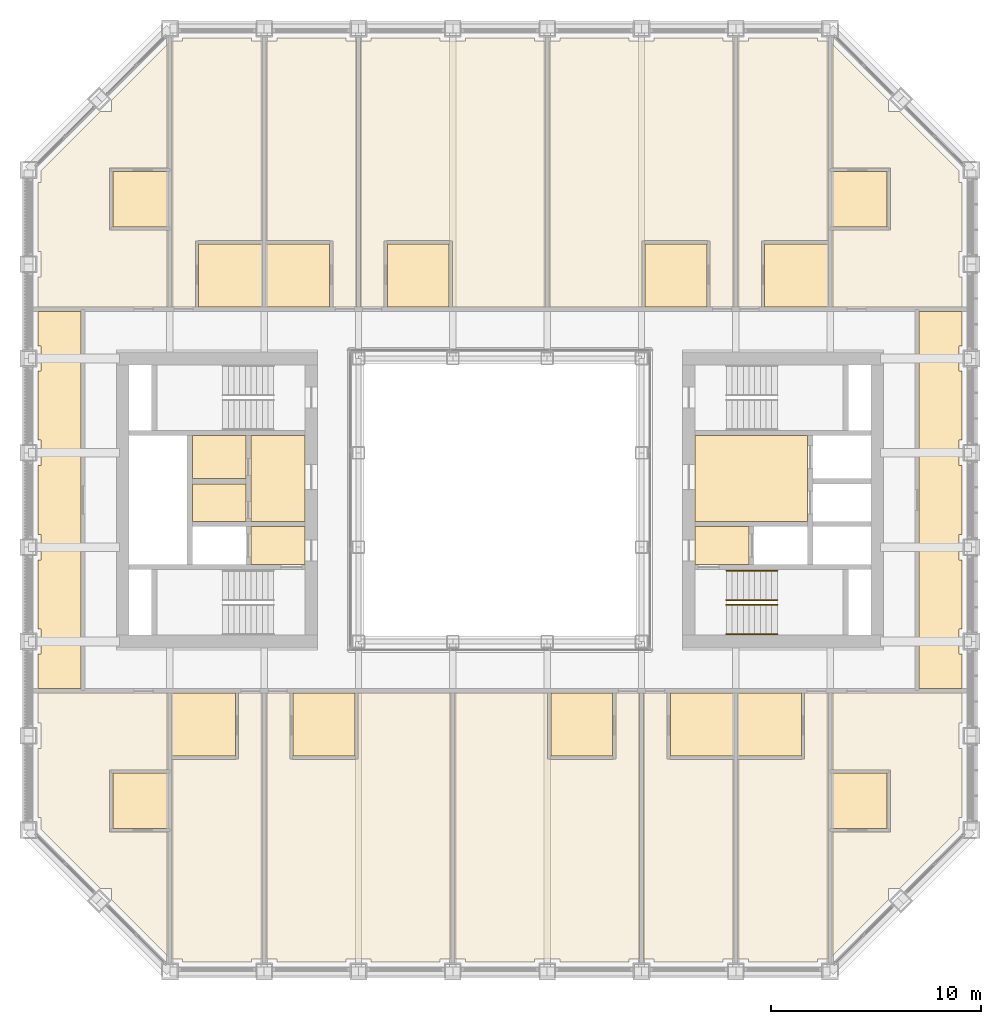
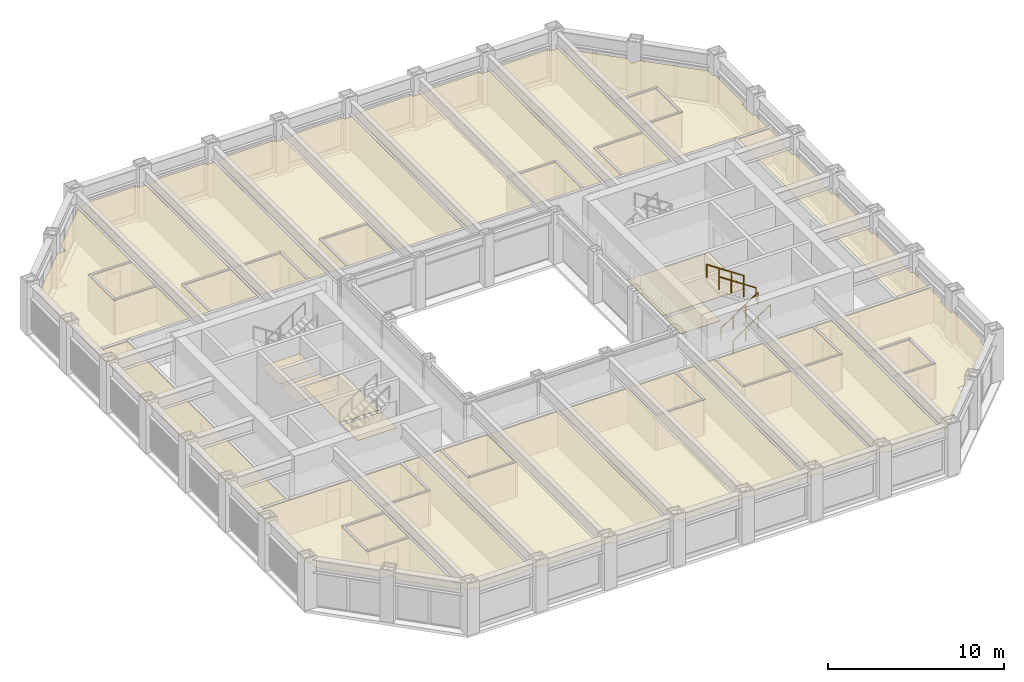
# One storey, part 16 of 17: 4 coverings, 4 railings.
"""IFC4 building model written with IfcOpenShell, lengths in metres."""

import ifcopenshell
import ifcopenshell.guid

model = None  # the IFC model being written
_history = None  # IfcOwnerHistory: only IFC2X3 demands one
_inside = {}  # id of a spatial element -> (the spatial element, [elements in it])
_under = {}  # id of a project, library or spatial element -> (it, [spatial elements below it])
_declared = {}  # id of a project -> (the project, [libraries it declares])
_typed = {}  # id of a type object -> (the type object, [elements of that type])
_made_of = {}  # id of a material, layer set ... -> (it, [elements and type objects made of it])


def new_model(schema):
    """Start an empty IFC model of exactly this schema.

    Asked for "IFC4X3", IfcOpenShell would pick the latest addendum, in which some entities
    have other attributes; the version numbers below select the first issue.
    IFC2X3 requires an IfcOwnerHistory on every rooted entity: one is made here for all.
    """
    global model, _history
    if schema == "IFC4X3":
        model = ifcopenshell.file(schema_version=(4, 3, 0, 0))
    else:
        model = ifcopenshell.file(schema=schema)
    _inside.clear()
    _under.clear()
    _declared.clear()
    _typed.clear()
    _made_of.clear()
    _history = None
    if model.schema == "IFC2X3":
        org = make("IfcOrganization", Name="unknown")
        user = make(
            "IfcPersonAndOrganization",
            ThePerson=make("IfcPerson", FamilyName="unknown"),
            TheOrganization=org,
        )
        app = make(
            "IfcApplication",
            ApplicationDeveloper=org,
            Version="unknown",
            ApplicationFullName="unknown",
            ApplicationIdentifier="unknown",
        )
        _history = make(
            "IfcOwnerHistory",
            OwningUser=user,
            OwningApplication=app,
            ChangeAction="ADDED",
            CreationDate=0,
        )
    return model


def make(cls, **values):
    """One entity of the class cls with the attributes given. An attribute that is None is left unset."""
    return model.create_entity(
        cls, **{name: value for name, value in values.items() if value is not None}
    )


def rooted(cls, **values):
    """An entity with a GlobalId (a new one), such as an element, a storey or a relation."""
    return make(cls, GlobalId=ifcopenshell.guid.new(), OwnerHistory=_history, **values)


def si_unit(unit_type, name, prefix=None):
    """IfcSIUnit, for example si_unit("LENGTHUNIT", "METRE", prefix="MILLI")."""
    return make("IfcSIUnit", UnitType=unit_type, Prefix=prefix, Name=name)


def assignment(units):
    """IfcUnitAssignment: the units of a project."""
    return None if units is None else make("IfcUnitAssignment", Units=units)


def point(xyz):
    """IfcCartesianPoint."""
    return None if xyz is None else make("IfcCartesianPoint", Coordinates=xyz)


def direction(xyz):
    """IfcDirection."""
    return None if xyz is None else make("IfcDirection", DirectionRatios=xyz)


def frame(location, z_axis=None, x_axis=None):
    """IfcAxis2Placement3D, a coordinate frame: its origin and axes. An axis left out is left unset."""
    return make(
        "IfcAxis2Placement3D",
        Location=point(location),
        Axis=direction(z_axis),
        RefDirection=direction(x_axis),
    )


def frame_2d(location, x_axis=None):
    """IfcAxis2Placement2D, a coordinate frame in the plane: its origin and x axis."""
    return make(
        "IfcAxis2Placement2D", Location=point(location), RefDirection=direction(x_axis)
    )


def origin():
    """The frame at (0, 0, 0) with its axes left unset."""
    return frame((0.0, 0.0, 0.0))


def origin_2d():
    """The frame at (0, 0) in the plane with its x axis left unset."""
    return frame_2d((0.0, 0.0))


def place(relative_to, where):
    """IfcLocalPlacement: puts the frame where relative to a parent placement (None: the world)."""
    return make(
        "IfcLocalPlacement", PlacementRelTo=relative_to, RelativePlacement=where
    )


def context(
    kind, dimensions, precision=None, world=None, true_north=None, identifier=None
):
    """IfcGeometricRepresentationContext, for example the 3D "Model" context."""
    return make(
        "IfcGeometricRepresentationContext",
        ContextIdentifier=identifier,
        ContextType=kind,
        CoordinateSpaceDimension=dimensions,
        Precision=precision,
        WorldCoordinateSystem=world,
        TrueNorth=true_north,
    )


def subcontext(parent, identifier, kind, view, scale=None):
    """IfcGeometricRepresentationSubContext, for example "Body" below "Model"."""
    return make(
        "IfcGeometricRepresentationSubContext",
        ContextIdentifier=identifier,
        ContextType=kind,
        ParentContext=parent,
        TargetScale=scale,
        TargetView=view,
    )


def project(units=None, contexts=None):
    """IfcProject with its units and contexts."""
    return rooted(
        "IfcProject",
        Name="project",
        RepresentationContexts=contexts,
        UnitsInContext=assignment(units),
    )


def spatial(cls, under=None, at=None, **own):
    """A site, building, storey or space (cls), placed at a placement, below another one or the project."""
    s = rooted(cls, ObjectPlacement=at, **own)
    if under is not None:
        _under.setdefault(under.id(), (under, []))[1].append(s)
    return s


def point_list(points):
    """IfcCartesianPointList2D or 3D."""
    cls = (
        "IfcCartesianPointList2D" if len(points[0]) == 2 else "IfcCartesianPointList3D"
    )
    return make(cls, CoordList=points)


def line(*indices):
    """IfcLineIndex: a straight run through numbered points of an indexed curve."""
    return model.create_entity("IfcLineIndex", indices)


def indexed_curve(points, segments=None, self_intersect=None):
    """IfcIndexedPolyCurve: lines and arcs through numbered points (the first is 1)."""
    return make(
        "IfcIndexedPolyCurve",
        Points=point_list(points),
        Segments=segments,
        SelfIntersect=self_intersect,
    )


def profile(cls, at=None, kind="AREA", **sizes):
    """A parametric profile (cls). Its sizes go by their IFC names, for example OverallWidth=200.0."""
    return make(cls, ProfileType=kind, Position=at, **sizes)


def circle(**sizes):
    """IfcCircleProfileDef."""
    return profile("IfcCircleProfileDef", **sizes)


def outline(outer, holes=None, kind="AREA"):
    """IfcArbitraryClosedProfileDef: a profile drawn as a closed curve; with holes, ...WithVoids."""
    if holes is None:
        return make("IfcArbitraryClosedProfileDef", ProfileType=kind, OuterCurve=outer)
    return make(
        "IfcArbitraryProfileDefWithVoids",
        ProfileType=kind,
        OuterCurve=outer,
        InnerCurves=holes,
    )


def extrude(swept, where, along, depth):
    """IfcExtrudedAreaSolid: the profile swept, set in the frame where, extruded along a direction by depth."""
    return make(
        "IfcExtrudedAreaSolid",
        SweptArea=swept,
        Position=where,
        ExtrudedDirection=direction(along),
        Depth=depth,
    )


def shape(context_of_items, identifier, shape_type, items):
    """IfcShapeRepresentation: the items that make up one representation, for example the "Body"."""
    return make(
        "IfcShapeRepresentation",
        ContextOfItems=context_of_items,
        RepresentationIdentifier=identifier,
        RepresentationType=shape_type,
        Items=items,
    )


def material(Name=None, Category=None):
    """IfcMaterial."""
    return make("IfcMaterial", Name=Name, Category=Category)


def layer(
    of_material, thickness, ventilated=None, Name=None, Category=None, Priority=None
):
    """IfcMaterialLayer: one layer of a wall or slab, of a material (None: an air gap)."""
    return make(
        "IfcMaterialLayer",
        Material=of_material,
        LayerThickness=thickness,
        IsVentilated=ventilated,
        Name=Name,
        Category=Category,
        Priority=Priority,
    )


def layer_set(layers, Name=None):
    """IfcMaterialLayerSet."""
    return make("IfcMaterialLayerSet", MaterialLayers=layers, LayerSetName=Name)


def made_of(thing, what):
    """Note that an element or type object is made of a material, layer set ...; save() writes the relation."""
    if what is not None:
        _made_of.setdefault(what.id(), (what, []))[1].append(thing)
    return thing


def type_object(cls, material=None, **own):
    """A type object (cls), such as IfcWallType, which elements share."""
    return made_of(rooted(cls, **own), material)


def element(
    cls,
    number,
    at=None,
    inside=None,
    cuts=None,
    type_object=None,
    material=None,
    context=None,
    identifier="Body",
    shape_type=None,
    held_by="IfcProductDefinitionShape",
    body=None,
    shapes=None,
    **own,
):
    """One element of the class cls, such as IfcWall. Its Tag is "e" and its number.

    at: its placement. inside: the storey or other place that contains it. cuts: it is an
    opening in that element (IfcRelVoidsElement). A single representation is given by context,
    identifier, shape_type and body (its items); several are given by shapes. held_by: the class
    of the entity that holds the representations. save() writes the other relations.
    """
    e = rooted(cls, Tag="e%d" % number, ObjectPlacement=at, **own)
    if body is not None:
        shapes = [shape(context, identifier, shape_type, body)]
    if shapes is not None:
        e.Representation = make(held_by, Representations=shapes)
    if inside is not None:
        _inside.setdefault(inside.id(), (inside, []))[1].append(e)
    if cuts is not None:
        rooted(
            "IfcRelVoidsElement", RelatingBuildingElement=cuts, RelatedOpeningElement=e
        )
    if type_object is not None:
        _typed.setdefault(type_object.id(), (type_object, []))[1].append(e)
    return made_of(e, material)


def aggregate(whole, parts):
    """IfcRelAggregates: a whole, such as a stair, and the parts it consists of."""
    return rooted("IfcRelAggregates", RelatingObject=whole, RelatedObjects=parts)


def save(model, path):
    """Write the relations noted so far, then the file.

    IfcRelAggregates (storeys below a building ...), IfcRelContainedInSpatialStructure (elements
    in a storey), IfcRelDefinesByType, IfcRelAssociatesMaterial and IfcRelDeclares: one each for
    every whole, place, type object, material and project.
    """
    for whole, parts in _under.values():
        aggregate(whole, parts)
    for where, things in _inside.values():
        rooted(
            "IfcRelContainedInSpatialStructure",
            RelatedElements=things,
            RelatingStructure=where,
        )
    for kind, things in _typed.values():
        rooted("IfcRelDefinesByType", RelatedObjects=things, RelatingType=kind)
    for what, things in _made_of.values():
        rooted("IfcRelAssociatesMaterial", RelatedObjects=things, RelatingMaterial=what)
    for by, libraries in _declared.values():
        rooted("IfcRelDeclares", RelatingContext=by, RelatedDefinitions=libraries)
    model.write(path)


model = new_model("IFC4")

# Units and contexts
model_context = context("Model", 3, precision=1e-05, world=origin(), true_north=direction((0.0, 1.0)))
body_context = subcontext(model_context, "Body", "Model", "MODEL_VIEW")
ifc_project = project(units=[si_unit("LENGTHUNIT", "METRE"), si_unit("AREAUNIT", "SQUARE_METRE"), si_unit("VOLUMEUNIT", "CUBIC_METRE"), si_unit("PLANEANGLEUNIT", "RADIAN"), si_unit("MASSUNIT", "GRAM", prefix="KILO")], contexts=[model_context])

# Site, building, storey
site_placement = place(None, origin())
site = spatial("IfcSite", under=ifc_project, at=site_placement, CompositionType="ELEMENT")
building_placement = place(site_placement, origin())
building = spatial("IfcBuilding", under=site, at=building_placement, Name="Msasa Ring Tower", CompositionType="ELEMENT")
storey_placement = place(building_placement, frame((0.0, 0.0, 129.199951171875)))
storey = spatial("IfcBuildingStorey", under=building, at=storey_placement, Name="L33", CompositionType="ELEMENT", Elevation=129.199951171875)

# Coverings
ifc_material_1 = material(Name="Gypsum plasterboard on a steel suspension grid", Category="steel")
ifc_layer_1 = layer(ifc_material_1, 0.014892578125)
ifc_layer_set_1 = layer_set([ifc_layer_1], Name="C1 SUSPENDED PLASTERBOARD CEILING 15")
covering_type_1 = type_object("IfcCoveringType", Name="C1 SUSPENDED PLASTERBOARD CEILING 15", PredefinedType="CEILING", material=ifc_layer_set_1)
covering_1_placement = place(storey_placement, frame((0.0, 0.0, 2.407958984375)))
element("IfcCovering", 1, at=covering_1_placement, inside=storey, type_object=covering_type_1, Name="Suspended Plasterboard Ceiling 15 L33", PredefinedType="CEILING", context=body_context, shape_type="SweptSolid", body=[
    extrude(outline(indexed_curve([(-15.8505859375, -21.762451171875), (-18.5244140625, -19.08837890625), (-18.5244140625, -18.5244140625), (-19.08837890625, -18.5244140625), (-21.8994140625, -15.71337890625), (-21.8994140625, -15.1494140625), (-22.049560546875, -15.1494140625), (-22.049560546875, -11.8505859375), (-21.8994140625, -11.8505859375), (-21.8994140625, -10.6494140625), (-22.049560546875, -10.6494140625), (-22.049560546875, -9.200439453125), (-15.8505859375, -9.200439453125), (-15.8505859375, -12.869384765625), (-18.630615234375, -12.869384765625), (-18.630615234375, -15.83056640625), (-15.8505859375, -15.83056640625)], segments=[line(1, 2, 3, 4, 5, 6, 7, 8, 9, 10, 11, 12, 13, 14, 15, 16, 17, 1)], self_intersect=False)), origin(), (0.0, 0.0, 1.0), 0.01513671875),
    extrude(outline(indexed_curve([(-18.630615234375, 12.869384765625), (-15.8505859375, 12.869384765625), (-15.8505859375, 9.200439453125), (-22.049560546875, 9.200439453125), (-22.049560546875, 10.6494140625), (-21.8994140625, 10.6494140625), (-21.8994140625, 11.8505859375), (-22.049560546875, 11.8505859375), (-22.049560546875, 15.1494140625), (-21.8994140625, 15.1494140625), (-21.8994140625, 15.71337890625), (-19.08837890625, 18.5244140625), (-18.5244140625, 18.5244140625), (-18.5244140625, 19.08837890625), (-15.8505859375, 21.762451171875), (-15.8505859375, 15.83056640625), (-18.630615234375, 15.83056640625)], segments=[line(1, 2, 3, 4, 5, 6, 7, 8, 9, 10, 11, 12, 13, 14, 15, 16, 17, 1)], self_intersect=False)), origin(), (0.0, 0.0, 1.0), 0.01513671875),
    extrude(outline(indexed_curve([(-12.60009765625, -12.3505859375), (-12.474609375, -12.35009765625), (-12.474609375, -9.200439453125), (-11.3505859375, -9.200439453125), (-11.3505859375, -21.8994140625), (-11.8505859375, -21.8994140625), (-11.8505859375, -22.049560546875), (-15.1494140625, -22.049560546875), (-15.1494140625, -21.8994140625), (-15.6494140625, -21.8994140625), (-15.6494140625, -12.37548828125), (-12.60009765625, -12.37548828125)], segments=[line(1, 2, 3, 4, 5, 6, 7, 8, 9, 10, 11, 12, 1)], self_intersect=False)), origin(), (0.0, 0.0, 1.0), 0.01513671875),
    extrude(outline(indexed_curve([(-14.39990234375, 12.3505859375), (-14.525390625, 12.35009765625), (-14.525390625, 9.200439453125), (-15.6494140625, 9.200439453125), (-15.6494140625, 21.8994140625), (-15.1494140625, 21.8994140625), (-15.1494140625, 22.049560546875), (-11.8505859375, 22.049560546875), (-11.8505859375, 21.8994140625), (-11.3505859375, 21.8994140625), (-11.3505859375, 12.37548828125), (-14.39990234375, 12.37548828125)], segments=[line(1, 2, 3, 4, 5, 6, 7, 8, 9, 10, 11, 12, 1)], self_intersect=False)), origin(), (0.0, 0.0, 1.0), 0.01513671875),
    extrude(outline(indexed_curve([(-9.89990234375, -12.3505859375), (-9.89990234375, -12.37548828125), (-6.89990234375, -12.37548828125), (-6.89990234375, -12.3505859375), (-6.7744140625, -12.35009765625), (-6.7744140625, -9.200439453125), (-2.3505859375, -9.200439453125), (-2.3505859375, -21.8994140625), (-2.8505859375, -21.8994140625), (-2.8505859375, -22.049560546875), (-6.1494140625, -22.049560546875), (-6.1494140625, -21.8994140625), (-7.3505859375, -21.8994140625), (-7.3505859375, -22.049560546875), (-10.6494140625, -22.049560546875), (-10.6494140625, -21.8994140625), (-11.1494140625, -21.8994140625), (-11.1494140625, -9.200439453125), (-10.025390625, -9.200439453125), (-10.025390625, -12.35009765625)], segments=[line(1, 2, 3, 4, 5, 6, 7, 8, 9, 10, 11, 12, 13, 14, 15, 16, 17, 18, 19, 20, 1)], self_intersect=False)), origin(), (0.0, 0.0, 1.0), 0.01513671875),
    extrude(outline(indexed_curve([(-7.3505859375, 22.049560546875), (-7.3505859375, 21.8994140625), (-6.8505859375, 21.8994140625), (-6.8505859375, 9.200439453125), (-7.974609375, 9.200439453125), (-7.974609375, 12.35009765625), (-8.10009765625, 12.3505859375), (-8.10009765625, 12.37548828125), (-11.1494140625, 12.37548828125), (-11.1494140625, 21.8994140625), (-10.6494140625, 21.8994140625), (-10.6494140625, 22.049560546875)], segments=[line(1, 2, 3, 4, 5, 6, 7, 8, 9, 10, 11, 12, 1)], self_intersect=False)), origin(), (0.0, 0.0, 1.0), 0.01513671875),
    extrude(outline(indexed_curve([(-2.39990234375, 12.3505859375), (-2.39990234375, 12.37548828125), (-5.39990234375, 12.37548828125), (-5.39990234375, 12.3505859375), (-5.525390625, 12.35009765625), (-5.525390625, 9.200439453125), (-6.6494140625, 9.200439453125), (-6.6494140625, 21.8994140625), (-6.1494140625, 21.8994140625), (-6.1494140625, 22.049560546875), (-2.8505859375, 22.049560546875), (-2.8505859375, 21.8994140625), (-1.6494140625, 21.8994140625), (-1.6494140625, 22.049560546875), (1.6494140625, 22.049560546875), (1.6494140625, 21.8994140625), (2.1494140625, 21.8994140625), (2.1494140625, 9.200439453125), (-2.2744140625, 9.200439453125), (-2.2744140625, 12.35009765625)], segments=[line(1, 2, 3, 4, 5, 6, 7, 8, 9, 10, 11, 12, 13, 14, 15, 16, 17, 18, 19, 20, 1)], self_intersect=False)), origin(), (0.0, 0.0, 1.0), 0.01513671875),
    extrude(outline(indexed_curve([(2.2744140625, -12.35009765625), (2.39990234375, -12.3505859375), (2.39990234375, -12.37548828125), (5.39990234375, -12.37548828125), (5.39990234375, -12.3505859375), (5.525390625, -12.35009765625), (5.525390625, -9.200439453125), (6.6494140625, -9.200439453125), (6.6494140625, -21.8994140625), (6.1494140625, -21.8994140625), (6.1494140625, -22.049560546875), (2.8505859375, -22.049560546875), (2.8505859375, -21.8994140625), (1.6494140625, -21.8994140625), (1.6494140625, -22.049560546875), (-1.6494140625, -22.049560546875), (-1.6494140625, -21.8994140625), (-2.1494140625, -21.8994140625), (-2.1494140625, -9.200439453125), (2.2744140625, -9.200439453125)], segments=[line(1, 2, 3, 4, 5, 6, 7, 8, 9, 10, 11, 12, 13, 14, 15, 16, 17, 18, 19, 20, 1)], self_intersect=False)), origin(), (0.0, 0.0, 1.0), 0.01513671875),
    extrude(outline(indexed_curve([(9.89990234375, 12.3505859375), (9.89990234375, 12.37548828125), (6.89990234375, 12.37548828125), (6.89990234375, 12.3505859375), (6.7744140625, 12.35009765625), (6.7744140625, 9.200439453125), (2.3505859375, 9.200439453125), (2.3505859375, 21.8994140625), (2.8505859375, 21.8994140625), (2.8505859375, 22.049560546875), (6.1494140625, 22.049560546875), (6.1494140625, 21.8994140625), (7.3505859375, 21.8994140625), (7.3505859375, 22.049560546875), (10.6494140625, 22.049560546875), (10.6494140625, 21.8994140625), (11.1494140625, 21.8994140625), (11.1494140625, 9.200439453125), (10.025390625, 9.200439453125), (10.025390625, 12.35009765625)], segments=[line(1, 2, 3, 4, 5, 6, 7, 8, 9, 10, 11, 12, 13, 14, 15, 16, 17, 18, 19, 20, 1)], self_intersect=False)), origin(), (0.0, 0.0, 1.0), 0.01513671875),
    extrude(outline(indexed_curve([(7.3505859375, -22.049560546875), (7.3505859375, -21.8994140625), (6.8505859375, -21.8994140625), (6.8505859375, -9.200439453125), (7.974609375, -9.200439453125), (7.974609375, -12.35009765625), (8.10009765625, -12.3505859375), (8.10009765625, -12.37548828125), (11.1494140625, -12.37548828125), (11.1494140625, -21.8994140625), (10.6494140625, -21.8994140625), (10.6494140625, -22.049560546875)], segments=[line(1, 2, 3, 4, 5, 6, 7, 8, 9, 10, 11, 12, 1)], self_intersect=False)), origin(), (0.0, 0.0, 1.0), 0.01513671875),
    extrude(outline(indexed_curve([(14.39990234375, -12.3505859375), (14.525390625, -12.35009765625), (14.525390625, -9.200439453125), (15.6494140625, -9.200439453125), (15.6494140625, -21.8994140625), (15.1494140625, -21.8994140625), (15.1494140625, -22.049560546875), (11.8505859375, -22.049560546875), (11.8505859375, -21.8994140625), (11.3505859375, -21.8994140625), (11.3505859375, -12.37548828125), (14.39990234375, -12.37548828125)], segments=[line(1, 2, 3, 4, 5, 6, 7, 8, 9, 10, 11, 12, 1)], self_intersect=False)), origin(), (0.0, 0.0, 1.0), 0.01513671875),
    extrude(outline(indexed_curve([(12.60009765625, 12.3505859375), (12.474609375, 12.35009765625), (12.474609375, 9.200439453125), (11.3505859375, 9.200439453125), (11.3505859375, 21.8994140625), (11.8505859375, 21.8994140625), (11.8505859375, 22.049560546875), (15.1494140625, 22.049560546875), (15.1494140625, 21.8994140625), (15.6494140625, 21.8994140625), (15.6494140625, 12.37548828125), (12.60009765625, 12.37548828125)], segments=[line(1, 2, 3, 4, 5, 6, 7, 8, 9, 10, 11, 12, 1)], self_intersect=False)), origin(), (0.0, 0.0, 1.0), 0.01513671875),
    extrude(outline(indexed_curve([(18.630615234375, -12.869384765625), (15.8505859375, -12.869384765625), (15.8505859375, -9.200439453125), (22.049560546875, -9.200439453125), (22.049560546875, -10.6494140625), (21.8994140625, -10.6494140625), (21.8994140625, -11.8505859375), (22.049560546875, -11.8505859375), (22.049560546875, -15.1494140625), (21.8994140625, -15.1494140625), (21.8994140625, -15.71337890625), (19.08837890625, -18.5244140625), (18.5244140625, -18.5244140625), (18.5244140625, -19.08837890625), (15.8505859375, -21.762451171875), (15.8505859375, -15.83056640625), (18.630615234375, -15.83056640625)], segments=[line(1, 2, 3, 4, 5, 6, 7, 8, 9, 10, 11, 12, 13, 14, 15, 16, 17, 1)], self_intersect=False)), origin(), (0.0, 0.0, 1.0), 0.01513671875),
    extrude(outline(indexed_curve([(15.8505859375, 21.762451171875), (18.5244140625, 19.08837890625), (18.5244140625, 18.5244140625), (19.08837890625, 18.5244140625), (21.8994140625, 15.71337890625), (21.8994140625, 15.1494140625), (22.049560546875, 15.1494140625), (22.049560546875, 11.8505859375), (21.8994140625, 11.8505859375), (21.8994140625, 10.6494140625), (22.049560546875, 10.6494140625), (22.049560546875, 9.200439453125), (15.8505859375, 9.200439453125), (15.8505859375, 12.869384765625), (18.630615234375, 12.869384765625), (18.630615234375, 15.83056640625), (15.8505859375, 15.83056640625)], segments=[line(1, 2, 3, 4, 5, 6, 7, 8, 9, 10, 11, 12, 13, 14, 15, 16, 17, 1)], self_intersect=False)), origin(), (0.0, 0.0, 1.0), 0.01513671875),
])
ifc_material_2 = material(Name="Moisture-resistant gypsum plasterboard on a steel suspension grid", Category="steel")
ifc_layer_2 = layer(ifc_material_2, 0.014892578125)
ifc_layer_set_2 = layer_set([ifc_layer_2], Name="C2 MOISTURE-RESISTANT PLASTERBOARD CEILING 15")
covering_type_2 = type_object("IfcCoveringType", Name="C2 MOISTURE-RESISTANT PLASTERBOARD CEILING 15", PredefinedType="CEILING", material=ifc_layer_set_2)
covering_2_placement = place(storey_placement, frame((0.0, 0.0, 2.400146484375)))
element("IfcCovering", 2, at=covering_2_placement, inside=storey, type_object=covering_type_2, Name="Moisture-Resistant Plasterboard Ceiling 15 L33", PredefinedType="CEILING", context=body_context, shape_type="SweptSolid", body=[
    extrude(outline(indexed_curve([(-18.469482421875, -15.66943359375), (-18.469482421875, -13.030517578125), (-15.8505859375, -13.030517578125), (-15.8505859375, -15.66943359375)], segments=[line(1, 2, 3, 4, 1)], self_intersect=False)), origin(), (0.0, 0.0, 1.0), 0.014892578125),
    extrude(outline(indexed_curve([(-18.469482421875, 15.66943359375), (-15.8505859375, 15.66943359375), (-15.8505859375, 13.030517578125), (-18.469482421875, 13.030517578125)], segments=[line(1, 2, 3, 4, 1)], self_intersect=False)), origin(), (0.0, 0.0, 1.0), 0.014892578125),
    extrude(outline(indexed_curve([(-15.6494140625, -9.200439453125), (-12.62548828125, -9.200439453125), (-12.62548828125, -12.224609375), (-15.6494140625, -12.224609375)], segments=[line(1, 2, 3, 4, 1)], self_intersect=False)), origin(), (0.0, 0.0, 1.0), 0.014892578125),
    extrude(outline(indexed_curve([(-14.674560546875, 0.7744140625), (-12.12548828125, 0.7744140625), (-12.12548828125, -1.0244140625), (-14.674560546875, -1.0244140625)], segments=[line(1, 2, 3, 4, 1)], self_intersect=False)), origin(), (0.0, 0.0, 1.0), 0.014892578125),
    extrude(outline(indexed_curve([(-11.3505859375, 9.200439453125), (-14.37451171875, 9.200439453125), (-14.37451171875, 12.224609375), (-11.3505859375, 12.224609375)], segments=[line(1, 2, 3, 4, 1)], self_intersect=False)), origin(), (0.0, 0.0, 1.0), 0.014892578125),
    extrude(outline(indexed_curve([(-11.1494140625, 12.224609375), (-8.12548828125, 12.224609375), (-8.12548828125, 9.200439453125), (-11.1494140625, 9.200439453125)], segments=[line(1, 2, 3, 4, 1)], self_intersect=False)), origin(), (0.0, 0.0, 1.0), 0.014892578125),
    extrude(outline(indexed_curve([(-6.925537109375, -9.200439453125), (-6.925537109375, -12.224609375), (-9.87451171875, -12.224609375), (-9.87451171875, -9.200439453125)], segments=[line(1, 2, 3, 4, 1)], self_intersect=False)), origin(), (0.0, 0.0, 1.0), 0.014892578125),
    extrude(outline(indexed_curve([(-5.37451171875, 9.200439453125), (-5.37451171875, 12.224609375), (-2.425537109375, 12.224609375), (-2.425537109375, 9.200439453125)], segments=[line(1, 2, 3, 4, 1)], self_intersect=False)), origin(), (0.0, 0.0, 1.0), 0.014892578125),
    extrude(outline(indexed_curve([(5.37451171875, -9.200439453125), (5.37451171875, -12.224609375), (2.425537109375, -12.224609375), (2.425537109375, -9.200439453125)], segments=[line(1, 2, 3, 4, 1)], self_intersect=False)), origin(), (0.0, 0.0, 1.0), 0.014892578125),
    extrude(outline(indexed_curve([(6.925537109375, 9.200439453125), (6.925537109375, 12.224609375), (9.87451171875, 12.224609375), (9.87451171875, 9.200439453125)], segments=[line(1, 2, 3, 4, 1)], self_intersect=False)), origin(), (0.0, 0.0, 1.0), 0.014892578125),
    extrude(outline(indexed_curve([(11.1494140625, -9.200439453125), (11.1494140625, -12.224609375), (8.12548828125, -12.224609375), (8.12548828125, -9.200439453125)], segments=[line(1, 2, 3, 4, 1)], self_intersect=False)), origin(), (0.0, 0.0, 1.0), 0.014892578125),
    extrude(outline(indexed_curve([(11.3505859375, -9.200439453125), (14.37451171875, -9.200439453125), (14.37451171875, -12.224609375), (11.3505859375, -12.224609375)], segments=[line(1, 2, 3, 4, 1)], self_intersect=False)), origin(), (0.0, 0.0, 1.0), 0.014892578125),
    extrude(outline(indexed_curve([(15.6494140625, 9.200439453125), (12.62548828125, 9.200439453125), (12.62548828125, 12.224609375), (15.6494140625, 12.224609375)], segments=[line(1, 2, 3, 4, 1)], self_intersect=False)), origin(), (0.0, 0.0, 1.0), 0.014892578125),
    extrude(outline(indexed_curve([(15.8505859375, -13.030517578125), (18.469482421875, -13.030517578125), (18.469482421875, -15.66943359375), (15.8505859375, -15.66943359375)], segments=[line(1, 2, 3, 4, 1)], self_intersect=False)), origin(), (0.0, 0.0, 1.0), 0.014892578125),
    extrude(outline(indexed_curve([(15.8505859375, 15.66943359375), (18.469482421875, 15.66943359375), (18.469482421875, 13.030517578125), (15.8505859375, 13.030517578125)], segments=[line(1, 2, 3, 4, 1)], self_intersect=False)), origin(), (0.0, 0.0, 1.0), 0.014892578125),
])
ifc_material_3 = material(Name="Mineral fibre ceiling tiles on an exposed steel grid", Category="steel")
ifc_layer_3 = layer(ifc_material_3, 0.02001953125)
ifc_layer_set_3 = layer_set([ifc_layer_3], Name="C3 ACOUSTIC MINERAL FIBRE TILE CEILING 20")
covering_type_3 = type_object("IfcCoveringType", Name="C3 ACOUSTIC MINERAL FIBRE TILE CEILING 20", PredefinedType="CEILING", material=ifc_layer_set_3)
covering_3_placement = place(storey_placement, frame((0.0, 0.0, 2.408935546875)))
element("IfcCovering", 3, at=covering_3_placement, inside=storey, type_object=covering_type_3, Name="Acoustic Mineral Fibre Tile Ceiling 20 L33", PredefinedType="CEILING", context=body_context, shape_type="SweptSolid", body=[
    extrude(outline(indexed_curve([(-22.049560546875, -8.99951171875), (-22.049560546875, -7.3505859375), (-21.8994140625, -7.3505859375), (-21.8994140625, -6.1494140625), (-22.049560546875, -6.1494140625), (-22.049560546875, -2.8505859375), (-21.8994140625, -2.8505859375), (-21.8994140625, -1.6494140625), (-22.049560546875, -1.6494140625), (-22.049560546875, 1.6494140625), (-21.8994140625, 1.6494140625), (-21.8994140625, 2.8505859375), (-22.049560546875, 2.8505859375), (-22.049560546875, 6.1494140625), (-21.8994140625, 6.1494140625), (-21.8994140625, 7.3505859375), (-22.049560546875, 7.3505859375), (-22.049560546875, 8.99951171875), (-20.00048828125, 8.99951171875), (-20.00048828125, -8.99951171875)], segments=[line(1, 2, 3, 4, 5, 6, 7, 8, 9, 10, 11, 12, 13, 14, 15, 16, 17, 18, 19, 20, 1)], self_intersect=False)), origin(), (0.0, 0.0, 1.0), 0.02001953125),
    extrude(outline(indexed_curve([(-12.12548828125, 1.025390625), (-14.674560546875, 1.025390625), (-14.674560546875, 3.074462890625), (-12.12548828125, 3.074462890625)], segments=[line(1, 2, 3, 4, 1)], self_intersect=False)), origin(), (0.0, 0.0, 1.0), 0.02001953125),
    extrude(outline(indexed_curve([(22.049560546875, 8.99951171875), (22.049560546875, 7.3505859375), (21.8994140625, 7.3505859375), (21.8994140625, 6.1494140625), (22.049560546875, 6.1494140625), (22.049560546875, 2.8505859375), (21.8994140625, 2.8505859375), (21.8994140625, 1.6494140625), (22.049560546875, 1.6494140625), (22.049560546875, -1.6494140625), (21.8994140625, -1.6494140625), (21.8994140625, -2.8505859375), (22.049560546875, -2.8505859375), (22.049560546875, -6.1494140625), (21.8994140625, -6.1494140625), (21.8994140625, -7.3505859375), (22.049560546875, -7.3505859375), (22.049560546875, -8.99951171875), (20.00048828125, -8.99951171875), (20.00048828125, 8.99951171875)], segments=[line(1, 2, 3, 4, 5, 6, 7, 8, 9, 10, 11, 12, 13, 14, 15, 16, 17, 18, 19, 20, 1)], self_intersect=False)), origin(), (0.0, 0.0, 1.0), 0.02001953125),
])
ifc_material_4 = material(Name="Honed granite tiles on a mortar bed", Category="masonry")
ifc_layer_4 = layer(ifc_material_4, 0.030029296875)
ifc_layer_set_4 = layer_set([ifc_layer_4], Name="F1 HONED GRANITE ON BEDDING 30")
covering_type_4 = type_object("IfcCoveringType", Name="F1 HONED GRANITE ON BEDDING 30", PredefinedType="FLOORING", material=ifc_layer_set_4)
covering_4_placement = place(storey_placement, origin())
element("IfcCovering", 4, at=covering_4_placement, inside=storey, type_object=covering_type_4, Name="Honed Granite On Bedding 30 L33", PredefinedType="FLOORING", context=body_context, shape_type="SweptSolid", body=[
    extrude(outline(indexed_curve([(-11.87451171875, -3.074462890625), (-11.87451171875, -1.275390625), (-9.300537109375, -1.275390625), (-9.300537109375, -3.074462890625)], segments=[line(1, 2, 3, 4, 1)], self_intersect=False)), origin(), (0.0, 0.0, 1.0), 0.030029296875),
    extrude(outline(indexed_curve([(-11.87451171875, -1.0244140625), (-11.87451171875, 3.074462890625), (-9.300537109375, 3.074462890625), (-9.300537109375, -1.0244140625)], segments=[line(1, 2, 3, 4, 1)], self_intersect=False)), origin(), (0.0, 0.0, 1.0), 0.030029296875),
    extrude(outline(indexed_curve([(9.300537109375, -3.074462890625), (9.300537109375, -1.275390625), (11.87451171875, -1.275390625), (11.87451171875, -3.074462890625)], segments=[line(1, 2, 3, 4, 1)], self_intersect=False)), origin(), (0.0, 0.0, 1.0), 0.030029296875),
    extrude(outline(indexed_curve([(9.300537109375, -1.0244140625), (9.300537109375, 3.074462890625), (14.674560546875, 3.074462890625), (14.674560546875, -1.0244140625)], segments=[line(1, 2, 3, 4, 1)], self_intersect=False)), origin(), (0.0, 0.0, 1.0), 0.030029296875),
])

# Railings
ifc_material_5 = material(Name="Stainless steel", Category="steel")
railing_type = type_object("IfcRailingType", Name="HR1 HANDRAIL 900", PredefinedType="HANDRAIL", material=ifc_material_5)
for number, where, name in (
    (5, (10.800048828125, -6.39990234375, 0.179931640625), "Handrail stair SEA L33 1"),
    (6, (10.800048828125, -5.0, 0.179931640625), "Handrail stair SEA L33 2"),
):
    element("IfcRailing", number, at=place(storey_placement, frame(where)), inside=storey, type_object=railing_type, Name=name, PredefinedType="HANDRAIL", context=body_context, shape_type="SweptSolid", body=[
        extrude(circle(Radius=0.02392578125, at=origin_2d()), frame((0.0, 0.0, 0.8759765625), z_axis=(0.832024571796, 0.0, 0.554738778101), x_axis=(0.0, 1.0, 0.0)), (0.0, 0.0, 1.0), 2.92041015625),
        extrude(circle(Radius=0.02099609375, at=origin_2d()), origin(), (0.0, 0.0, 1.0), 0.851806640625),
        extrude(circle(Radius=0.02099609375, at=origin_2d()), frame((0.81005859375, 0.0, 0.5400390625)), (0.0, 0.0, 1.0), 0.851806640625),
        extrude(circle(Radius=0.02099609375, at=origin_2d()), frame((1.619873046875, 0.0, 1.080078125)), (0.0, 0.0, 1.0), 0.851806640625),
        extrude(circle(Radius=0.02099609375, at=origin_2d()), frame((2.429931640625, 0.0, 1.6201171875)), (0.0, 0.0, 1.0), 0.851806640625),
    ])
for number, where, name in (
    (7, (13.22998046875, -4.77490234375, 1.97998046875), "Handrail stair SEA L33 3"),
    (8, (13.22998046875, -3.375, 1.97998046875), "Handrail stair SEA L33 4"),
):
    element("IfcRailing", number, at=place(storey_placement, frame(where)), inside=storey, type_object=railing_type, Name=name, PredefinedType="HANDRAIL", context=body_context, shape_type="SweptSolid", body=[
        extrude(circle(Radius=0.02392578125, at=origin_2d()), frame((0.0, 0.0, 0.8759765625), z_axis=(-0.832024571796, 0.0, 0.554738778101), x_axis=(0.0, -1.0, 0.0)), (0.0, 0.0, 1.0), 2.92041015625),
        extrude(circle(Radius=0.02099609375, at=origin_2d()), origin(), (0.0, 0.0, 1.0), 0.851806640625),
        extrude(circle(Radius=0.02099609375, at=origin_2d()), frame((-0.81005859375, 0.0, 0.5400390625)), (0.0, 0.0, 1.0), 0.851806640625),
        extrude(circle(Radius=0.02099609375, at=origin_2d()), frame((-1.619873046875, 0.0, 1.080078125)), (0.0, 0.0, 1.0), 0.851806640625),
        extrude(circle(Radius=0.02099609375, at=origin_2d()), frame((-2.429931640625, 0.0, 1.6201171875)), (0.0, 0.0, 1.0), 0.851806640625),
    ])

save(model, "model.ifc")
